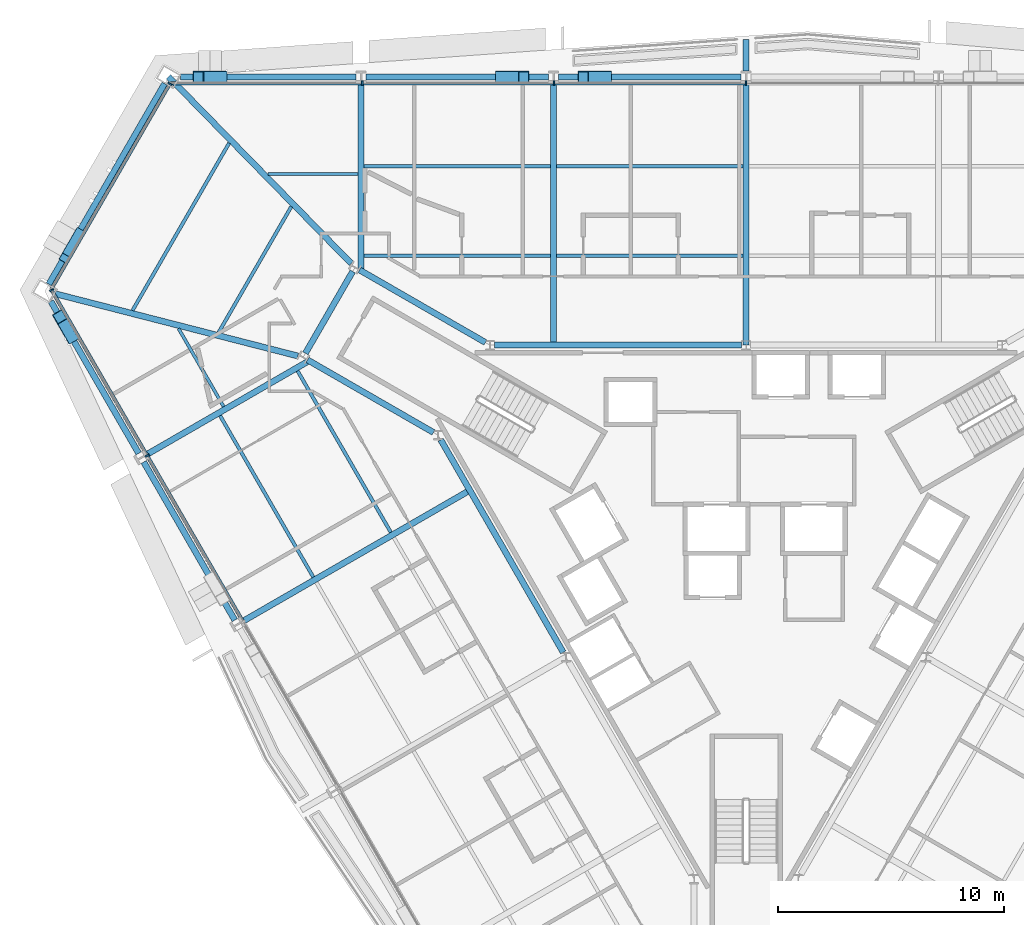
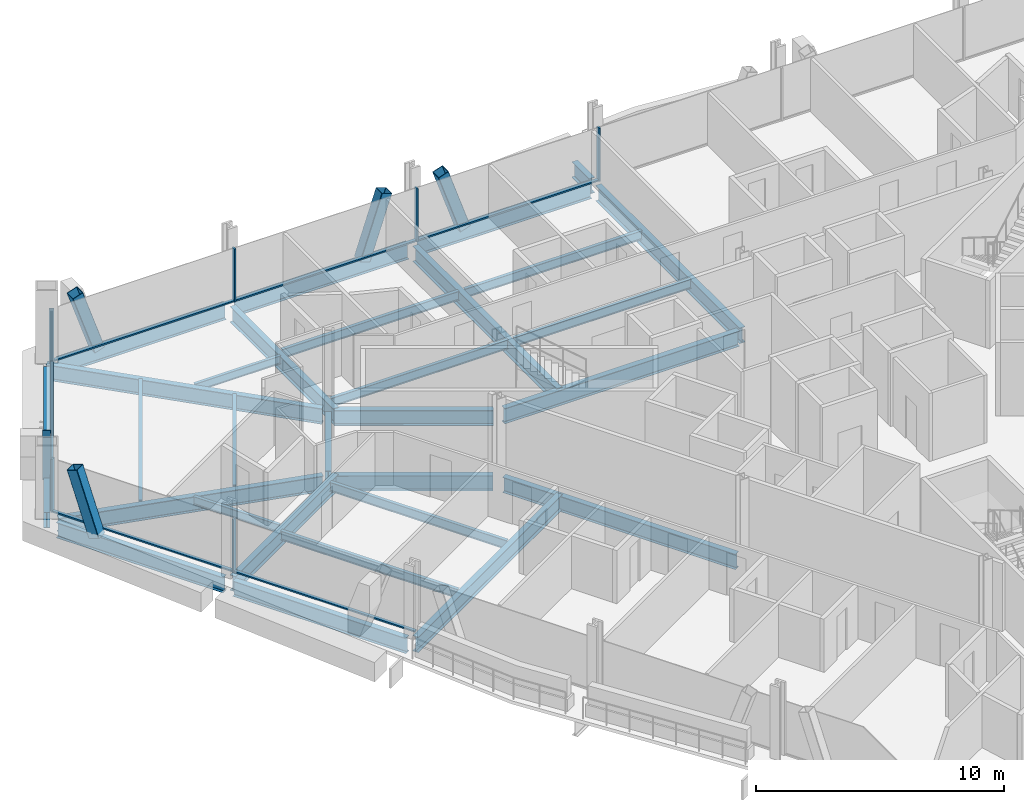
# One storey, part 6 of 18: 29 beams, 17 members, 3 elements without a shape of their own.
"""IFC4 building model written with IfcOpenShell, lengths in metres."""

from ifc_helpers import new_model, si_unit, direction, frame, origin, origin_2d, place, context, subcontext, project, spatial, rectangle, hollow_rectangle, i_section, extrude, material, material_profile, profile_set, type_object, element, aggregate, save


model = new_model("IFC4")

# Units and contexts
model_context = context("Model", 3, precision=1e-05, world=origin(), true_north=direction((0.0, 1.0)))
body_context = subcontext(model_context, "Body", "Model", "MODEL_VIEW")
ifc_project = project(units=[si_unit("LENGTHUNIT", "METRE"), si_unit("AREAUNIT", "SQUARE_METRE"), si_unit("VOLUMEUNIT", "CUBIC_METRE"), si_unit("PLANEANGLEUNIT", "RADIAN"), si_unit("MASSUNIT", "GRAM", prefix="KILO")], contexts=[model_context])

# Site, building, storey
site_placement = place(None, origin())
site = spatial("IfcSite", under=ifc_project, at=site_placement, CompositionType="ELEMENT")
building_placement = place(site_placement, origin())
building = spatial("IfcBuilding", under=site, at=building_placement, Name="Verrane Prism Tower", CompositionType="ELEMENT")
storey_placement = place(building_placement, frame((0.0, 0.0, 54.800048828125)))
storey = spatial("IfcBuildingStorey", under=building, at=storey_placement, Name="L11", CompositionType="ELEMENT", Elevation=54.800048828125)

# Member
ifc_material_1 = material(Name="Steel A500 Grade C", Category="steel")
ifc_material_profile_1 = material_profile(ifc_material_1, hollow_rectangle(XDim=0.355712890625, YDim=0.355712890625, WallThickness=0.0126953125, InnerFilletRadius=0.00634765625, OuterFilletRadius=0.01904296875, at=origin_2d()), Name="HSS14x14x1/2")
ifc_profile_set_1 = profile_set([ifc_material_profile_1], Name="Steel A500 Grade C")
member_type_1 = type_object("IfcMemberType", Name="Chamfer brace HSS14x14x1/2", PredefinedType="BRACE", material=ifc_profile_set_1)
member_1_placement = place(storey_placement, frame((-29.52197265625, 14.186279296875, -0.2451171875), z_axis=(-0.199091567031, -0.34501748339, 0.917237964812), x_axis=(0.866138836121, -0.499803477943, 0.0)))
element("IfcMember", 1, at=member_1_placement, inside=storey, type_object=member_type_1, Name="Chamfer brace NW0 L11", PredefinedType="BRACE", context=body_context, shape_type="SweptSolid", body=[
    extrude(hollow_rectangle(XDim=0.355712890625, YDim=0.355712890625, WallThickness=0.0126953125, InnerFilletRadius=0.00634765625, OuterFilletRadius=0.01904296875, at=origin_2d()), origin(), (0.0, 0.0, 1.0), 3.274169921875),
])

# Beams
ifc_material_2 = material(Name="Steel A992", Category="steel")
ifc_material_profile_2 = material_profile(ifc_material_2, i_section(OverallWidth=0.2666015625, OverallDepth=0.76708984375, WebThickness=0.014892578125, FlangeThickness=0.023681640625, FilletRadius=0.0166015625, at=origin_2d()), Name="W30x124")
ifc_profile_set_2 = profile_set([ifc_material_profile_2], Name="Steel A992")
beam_type_1 = type_object("IfcBeamType", Name="Chamfer spandrel beam W30x124", PredefinedType="SPANDREL", material=ifc_profile_set_2)
beam_1_placement = place(storey_placement, frame((-25.724853515625, 20.766845703125, -0.54345703125), z_axis=(-0.499796720239, -0.866142735603, 0.0), x_axis=(0.866142735603, -0.499796720239, 0.0)))
element("IfcBeam", 2, at=beam_1_placement, inside=storey, type_object=beam_type_1, Name="Chamfer spandrel beam L11", PredefinedType="SPANDREL", context=body_context, shape_type="SweptSolid", body=[
    extrude(i_section(OverallWidth=0.2666015625, OverallDepth=0.76708984375, WebThickness=0.014892578125, FlangeThickness=0.023681640625, FilletRadius=0.0166015625, at=origin_2d()), origin(), (0.0, 0.0, 1.0), 10.244873046875),
])
ifc_material_3 = material(Name="Steel A992", Category="steel")
ifc_material_profile_3 = material_profile(ifc_material_3, i_section(OverallWidth=0.2666015625, OverallDepth=0.7568359375, WebThickness=0.013916015625, FlangeThickness=0.019287109375, FilletRadius=0.0166015625, at=origin_2d()), Name="W30x108")
ifc_profile_set_3 = profile_set([ifc_material_profile_3], Name="Steel A992")
beam_type_2 = type_object("IfcBeamType", Name="Core ring girder W30x108", PredefinedType="BEAM", material=ifc_profile_set_3)
beam_2_placement = place(storey_placement, frame((-0.203125, 9.199951171875, -0.628662109375), z_axis=(-1.0, 0.0, 0.0), x_axis=(0.0, -1.0, 0.0)))
element("IfcBeam", 3, at=beam_2_placement, inside=storey, type_object=beam_type_2, Name="Core ring girder L11", PredefinedType="BEAM", context=body_context, shape_type="SweptSolid", body=[
    extrude(i_section(OverallWidth=0.2666015625, OverallDepth=0.7568359375, WebThickness=0.013916015625, FlangeThickness=0.019287109375, FilletRadius=0.0166015625, at=origin_2d()), origin(), (0.0, 0.0, 1.0), 10.923583984375),
])
beam_3_placement = place(storey_placement, frame((-11.533203125, 9.317138671875, -0.628662109375), z_axis=(-0.866447229751, 0.499268663203, 0.0), x_axis=(-0.499268663203, -0.866447229751, 0.0)))
element("IfcBeam", 4, at=beam_3_placement, inside=storey, type_object=beam_type_2, Name="Core ring girder L11", PredefinedType="BEAM", context=body_context, shape_type="SweptSolid", body=[
    extrude(i_section(OverallWidth=0.2666015625, OverallDepth=0.7568359375, WebThickness=0.013916015625, FlangeThickness=0.019287109375, FilletRadius=0.0166015625, at=origin_2d()), origin(), (0.0, 0.0, 1.0), 6.428466796875),
])
beam_4_placement = place(storey_placement, frame((-17.40478515625, 12.45849609375, -0.628662109375), z_axis=(-0.500349643494, -0.865823442888, 0.0), x_axis=(0.865823442888, -0.500349643494, 0.0)))
element("IfcBeam", 5, at=beam_4_placement, inside=storey, type_object=beam_type_2, Name="Core ring girder L11", PredefinedType="BEAM", context=body_context, shape_type="SweptSolid", body=[
    extrude(i_section(OverallWidth=0.2666015625, OverallDepth=0.7568359375, WebThickness=0.013916015625, FlangeThickness=0.019287109375, FilletRadius=0.0166015625, at=origin_2d()), origin(), (0.0, 0.0, 1.0), 4.177734375),
])
beam_5_placement = place(storey_placement, frame((-19.403076171875, 8.54638671875, -0.628662109375), z_axis=(0.86646365882, -0.499240150574, 0.0), x_axis=(0.499240150574, 0.86646365882, 0.0)))
element("IfcBeam", 6, at=beam_5_placement, inside=storey, type_object=beam_type_2, Name="Core ring girder L11", PredefinedType="BEAM", context=body_context, shape_type="SweptSolid", body=[
    extrude(i_section(OverallWidth=0.2666015625, OverallDepth=0.7568359375, WebThickness=0.013916015625, FlangeThickness=0.019287109375, FilletRadius=0.0166015625, at=origin_2d()), origin(), (0.0, 0.0, 1.0), 6.42822265625),
])
beam_6_placement = place(storey_placement, frame((-13.510009765625, 5.01171875, -0.628662109375), z_axis=(0.499371892062, -0.866387738498, 0.0), x_axis=(0.866387738498, 0.499371892062, 0.0)))
element("IfcBeam", 7, at=beam_6_placement, inside=storey, type_object=beam_type_2, Name="Core ring girder L11", PredefinedType="BEAM", context=body_context, shape_type="SweptSolid", body=[
    extrude(i_section(OverallWidth=0.2666015625, OverallDepth=0.7568359375, WebThickness=0.013916015625, FlangeThickness=0.019287109375, FilletRadius=0.0166015625, at=origin_2d()), origin(), (0.0, 0.0, 1.0), 10.853515625),
])
ifc_material_4 = material(Name="Steel A992", Category="steel")
ifc_material_profile_4 = material_profile(ifc_material_4, i_section(OverallWidth=0.2666015625, OverallDepth=0.76708984375, WebThickness=0.014892578125, FlangeThickness=0.023681640625, FilletRadius=0.0166015625, at=origin_2d()), Name="W30x124")
ifc_profile_set_4 = profile_set([ifc_material_profile_4], Name="Steel A992")
beam_type_3 = type_object("IfcBeamType", Name="Corner girder W30x124", PredefinedType="BEAM", material=ifc_profile_set_4)
beam_7_placement = place(storey_placement, frame((-25.548828125, 21.06884765625, -0.603515625), z_axis=(0.699429302474, -0.714701791547, 0.0), x_axis=(0.714701791547, 0.699429302474, 0.0)))
element("IfcBeam", 8, at=beam_7_placement, inside=storey, type_object=beam_type_3, Name="Corner girder L11", PredefinedType="BEAM", context=body_context, shape_type="SweptSolid", body=[
    extrude(i_section(OverallWidth=0.2666015625, OverallDepth=0.76708984375, WebThickness=0.014892578125, FlangeThickness=0.023681640625, FilletRadius=0.0166015625, at=origin_2d()), origin(), (0.0, 0.0, 1.0), 11.5576171875),
])
beam_8_placement = place(storey_placement, frame((-30.5673828125, 11.473876953125, -0.603515625), z_axis=(0.968629214838, -0.248510450813, 0.0), x_axis=(0.248510450813, 0.968629214838, 0.0)))
element("IfcBeam", 9, at=beam_8_placement, inside=storey, type_object=beam_type_3, Name="Corner girder L11", PredefinedType="BEAM", context=body_context, shape_type="SweptSolid", body=[
    extrude(i_section(OverallWidth=0.2666015625, OverallDepth=0.76708984375, WebThickness=0.014892578125, FlangeThickness=0.023681640625, FilletRadius=0.0166015625, at=origin_2d()), origin(), (0.0, 0.0, 1.0), 11.086669921875),
])

# Members
ifc_material_5 = material(Name="Steel A1085 Grade A", Category="steel")
ifc_material_profile_5 = material_profile(ifc_material_5, hollow_rectangle(XDim=0.508056640625, YDim=0.508056640625, WallThickness=0.025390625, InnerFilletRadius=0.0126953125, OuterFilletRadius=0.0380859375, at=origin_2d()), Name="HSS20x20x1")
ifc_profile_set_5 = profile_set([ifc_material_profile_5], Name="Steel A1085 Grade A")
member_type_2 = type_object("IfcMemberType", Name="Facade brace HSS20x20x1", PredefinedType="BRACE", material=ifc_profile_set_5)
member_2_placement = place(storey_placement, frame((-6.185791015625, 21.070068359375, -0.24267578125), z_axis=(-0.320284161524, 0.0, 0.947321516634), x_axis=(0.0, -1.0, 0.0)))
element("IfcMember", 10, at=member_2_placement, inside=storey, type_object=member_type_2, Name="Facade brace N3 L11", PredefinedType="BRACE", context=body_context, shape_type="SweptSolid", body=[
    extrude(hollow_rectangle(XDim=0.508056640625, YDim=0.508056640625, WallThickness=0.025390625, InnerFilletRadius=0.0126953125, OuterFilletRadius=0.0380859375, at=origin_2d()), origin(), (0.0, 0.0, 1.0), 3.175537109375),
])
member_3_placement = place(storey_placement, frame((-10.8515625, 21.070068359375, -0.24267578125), z_axis=(0.319939128086, 0.0, 0.947438100522), x_axis=(0.0, 1.0, 0.0)))
element("IfcMember", 11, at=member_3_placement, inside=storey, type_object=member_type_2, Name="Facade brace N4 L11", PredefinedType="BRACE", context=body_context, shape_type="SweptSolid", body=[
    extrude(hollow_rectangle(XDim=0.508056640625, YDim=0.508056640625, WallThickness=0.025390625, InnerFilletRadius=0.0126953125, OuterFilletRadius=0.0380859375, at=origin_2d()), origin(), (0.0, 0.0, 1.0), 3.17529296875),
])
member_4_placement = place(storey_placement, frame((-23.2158203125, 21.070068359375, -0.24267578125), z_axis=(-0.320284161524, 0.0, 0.947321516634), x_axis=(0.0, -1.0, 0.0)))
element("IfcMember", 12, at=member_4_placement, inside=storey, type_object=member_type_2, Name="Facade brace N5 L11", PredefinedType="BRACE", context=body_context, shape_type="SweptSolid", body=[
    extrude(hollow_rectangle(XDim=0.508056640625, YDim=0.508056640625, WallThickness=0.025390625, InnerFilletRadius=0.0126953125, OuterFilletRadius=0.0380859375, at=origin_2d()), origin(), (0.0, 0.0, 1.0), 3.175537109375),
])
member_5_placement = place(storey_placement, frame((-29.852783203125, 9.57080078125, -0.24267578125), z_axis=(-0.160155263399, 0.277100129279, 0.947399498606), x_axis=(-0.865793377433, -0.500401666258, 0.0)))
element("IfcMember", 13, at=member_5_placement, inside=storey, type_object=member_type_2, Name="Facade brace SW0 L11", PredefinedType="BRACE", context=body_context, shape_type="SweptSolid", body=[
    extrude(hollow_rectangle(XDim=0.508056640625, YDim=0.508056640625, WallThickness=0.025390625, InnerFilletRadius=0.0126953125, OuterFilletRadius=0.0380859375, at=origin_2d()), origin(), (0.0, 0.0, 1.0), 3.17529296875),
])

# Beams
ifc_material_6 = material(Name="Steel A992", Category="steel")
ifc_material_profile_6 = material_profile(ifc_material_6, i_section(OverallWidth=0.140380859375, OverallDepth=0.40380859375, WebThickness=0.007080078125, FlangeThickness=0.01123046875, FilletRadius=0.01025390625, at=origin_2d()), Name="W16x31")
ifc_profile_set_6 = profile_set([ifc_material_profile_6], Name="Steel A992")
beam_type_4 = type_object("IfcBeamType", Name="Floor beam W16x31", PredefinedType="BEAM", material=ifc_profile_set_6)
beam_9_placement = place(storey_placement, frame((-21.159912109375, 16.77490234375, -0.362060546875), z_axis=(1.0, 0.0, 0.0), x_axis=(0.0, 1.0, 0.0)))
element("IfcBeam", 14, at=beam_9_placement, inside=storey, type_object=beam_type_4, Name="Floor beam L11", PredefinedType="BEAM", context=body_context, shape_type="SweptSolid", body=[
    extrude(i_section(OverallWidth=0.140380859375, OverallDepth=0.40380859375, WebThickness=0.007080078125, FlangeThickness=0.01123046875, FilletRadius=0.01025390625, at=origin_2d()), origin(), (0.0, 0.0, 1.0), 3.996337890625),
])
beam_10_placement = place(storey_placement, frame((-23.113525390625, 6.4794921875, -0.362060546875), z_axis=(-0.500001357645, 0.866024619946, 0.0), x_axis=(-0.866024619946, -0.500001357645, 0.0)))
element("IfcBeam", 15, at=beam_10_placement, inside=storey, type_object=beam_type_4, Name="Floor beam L11", PredefinedType="BEAM", context=body_context, shape_type="SweptSolid", body=[
    extrude(i_section(OverallWidth=0.140380859375, OverallDepth=0.40380859375, WebThickness=0.007080078125, FlangeThickness=0.01123046875, FilletRadius=0.01025390625, at=origin_2d()), origin(), (0.0, 0.0, 1.0), 3.99072265625),
])
ifc_material_7 = material(Name="Steel A992", Category="steel")
ifc_material_profile_7 = material_profile(ifc_material_7, i_section(OverallWidth=0.15234375, OverallDepth=0.449462890625, WebThickness=0.007568359375, FlangeThickness=0.0107421875, FilletRadius=0.01025390625, at=origin_2d()), Name="W18x35")
ifc_profile_set_7 = profile_set([ifc_material_profile_7], Name="Steel A992")
beam_type_5 = type_object("IfcBeamType", Name="Floor beam W18x35", PredefinedType="BEAM", material=ifc_profile_set_7)
for number, where, z_axis, x_axis, name in (
    (16, (-8.386474609375, 13.15673828125, -0.384765625), (1.0, 0.0, 0.0), (0.0, 1.0, 0.0), "Floor beam L11"),
    (17, (-8.386474609375, 17.11328125, -0.384765625), (1.0, 0.0, 0.0), (0.0, 1.0, 0.0), "Floor beam L11"),
):
    element("IfcBeam", number, at=place(storey_placement, frame(where, z_axis=z_axis, x_axis=x_axis)), inside=storey, type_object=beam_type_5, Name=name, PredefinedType="BEAM", context=body_context, shape_type="SweptSolid", body=[
        extrude(i_section(OverallWidth=0.15234375, OverallDepth=0.449462890625, WebThickness=0.007568359375, FlangeThickness=0.0107421875, FilletRadius=0.01025390625, at=origin_2d()), origin(), (0.0, 0.0, 1.0), 8.2529296875),
    ])
for number, where, z_axis, x_axis, name in (
    (18, (-16.896484375, 13.15673828125, -0.384765625), (1.0, 0.0, 0.0), (0.0, 1.0, 0.0), "Floor beam L11"),
    (19, (-16.896484375, 17.11328125, -0.384765625), (1.0, 0.0, 0.0), (0.0, 1.0, 0.0), "Floor beam L11"),
):
    element("IfcBeam", number, at=place(storey_placement, frame(where, z_axis=z_axis, x_axis=x_axis)), inside=storey, type_object=beam_type_5, Name=name, PredefinedType="BEAM", context=body_context, shape_type="SweptSolid", body=[
        extrude(i_section(OverallWidth=0.15234375, OverallDepth=0.449462890625, WebThickness=0.007568359375, FlangeThickness=0.0107421875, FilletRadius=0.01025390625, at=origin_2d()), origin(), (0.0, 0.0, 1.0), 8.242919921875),
    ])
beam_11_placement = place(storey_placement, frame((-15.716796875, 0.91552734375, -0.384765625), z_axis=(-0.499996545922, 0.866027397988, 0.0), x_axis=(-0.866027397988, -0.499996545922, 0.0)))
element("IfcBeam", 20, at=beam_11_placement, inside=storey, type_object=beam_type_5, Name="Floor beam L11", PredefinedType="BEAM", context=body_context, shape_type="SweptSolid", body=[
    extrude(i_section(OverallWidth=0.15234375, OverallDepth=0.449462890625, WebThickness=0.007568359375, FlangeThickness=0.0107421875, FilletRadius=0.01025390625, at=origin_2d()), origin(), (0.0, 0.0, 1.0), 8.25),
])
beam_12_placement = place(storey_placement, frame((-19.146728515625, -1.064453125, -0.384765625), z_axis=(-0.499987164874, 0.866032814021, 0.0), x_axis=(-0.866032814021, -0.499987164874, 0.0)))
element("IfcBeam", 21, at=beam_12_placement, inside=storey, type_object=beam_type_5, Name="Floor beam L11", PredefinedType="BEAM", context=body_context, shape_type="SweptSolid", body=[
    extrude(i_section(OverallWidth=0.15234375, OverallDepth=0.449462890625, WebThickness=0.007568359375, FlangeThickness=0.0107421875, FilletRadius=0.01025390625, at=origin_2d()), origin(), (0.0, 0.0, 1.0), 8.249755859375),
])
beam_13_placement = place(storey_placement, frame((-23.337158203125, 9.756591796875, -0.384765625), z_axis=(0.49999063097, 0.866030812929, 0.0), x_axis=(-0.866030812929, 0.49999063097, 0.0)))
element("IfcBeam", 22, at=beam_13_placement, inside=storey, type_object=beam_type_5, Name="Floor beam L11", PredefinedType="BEAM", context=body_context, shape_type="SweptSolid", body=[
    extrude(i_section(OverallWidth=0.15234375, OverallDepth=0.449462890625, WebThickness=0.007568359375, FlangeThickness=0.0107421875, FilletRadius=0.01025390625, at=origin_2d()), origin(), (0.0, 0.0, 1.0), 6.435546875),
])
beam_14_placement = place(storey_placement, frame((-27.145263671875, 10.733642578125, -0.384765625), z_axis=(0.499989342298, 0.866031556924, 0.0), x_axis=(-0.866031556924, 0.499989342298, 0.0)))
element("IfcBeam", 23, at=beam_14_placement, inside=storey, type_object=beam_type_5, Name="Floor beam L11", PredefinedType="BEAM", context=body_context, shape_type="SweptSolid", body=[
    extrude(i_section(OverallWidth=0.15234375, OverallDepth=0.449462890625, WebThickness=0.007568359375, FlangeThickness=0.0107421875, FilletRadius=0.01025390625, at=origin_2d()), origin(), (0.0, 0.0, 1.0), 8.552001953125),
])

# Curtain wall, members
ifc_material_8 = material(Name="Aluminium framed insulated glazing", Category="aluminium")
curtain_wall_type = type_object("IfcCurtainWallType", Name="Curtain wall CW-A 8400 module", PredefinedType="NOTDEFINED", material=ifc_material_8)
curtain_wall_1_placement = place(storey_placement, origin())
curtain_wall_1 = element("IfcCurtainWall", 24, at=curtain_wall_1_placement, inside=storey, type_object=curtain_wall_type, Name="Glazed curtain wall north face L11", PredefinedType="NOTDEFINED")
ifc_material_9 = material(Name="Aluminium alloy 6063-T6", Category="aluminium")
ifc_material_profile_8 = material_profile(ifc_material_9, rectangle(XDim=0.199951171875, YDim=0.070068359375, at=origin_2d()), Name="Mullion 70x200 aluminium")
ifc_profile_set_8 = profile_set([ifc_material_profile_8], Name="Aluminium alloy 6063-T6")
member_type_3 = type_object("IfcMemberType", Name="Mullion 70x200 aluminium", PredefinedType="MULLION", material=ifc_profile_set_8)
member_6_placement = place(storey_placement, frame((0.0, 20.791015625, 0.0), z_axis=(0.0, 0.0, 1.0), x_axis=(0.0, -1.0, 0.0)))
member_6 = element("IfcMember", 25, at=member_6_placement, type_object=member_type_3, Name="CW09.2 mullion 4", PredefinedType="MULLION", context=body_context, shape_type="SweptSolid", body=[
    extrude(rectangle(XDim=0.199951171875, YDim=0.070068359375, at=origin_2d()), origin(), (0.0, 0.0, 1.0), 2.61279296875),
])
member_7_placement = place(storey_placement, frame((-8.49169921875, 20.791015625, 0.0), z_axis=(0.0, 0.0, 1.0), x_axis=(0.0, -1.0, 0.0)))
member_7 = element("IfcMember", 26, at=member_7_placement, type_object=member_type_3, Name="CW09.2 mullion 5", PredefinedType="MULLION", context=body_context, shape_type="SweptSolid", body=[
    extrude(rectangle(XDim=0.199951171875, YDim=0.070068359375, at=origin_2d()), origin(), (0.0, 0.0, 1.0), 2.61279296875),
])
member_8_placement = place(storey_placement, frame((-16.9833984375, 20.791015625, 0.0), z_axis=(0.0, 0.0, 1.0), x_axis=(0.0, -1.0, 0.0)))
member_8 = element("IfcMember", 27, at=member_8_placement, type_object=member_type_3, Name="CW09.2 mullion 6", PredefinedType="MULLION", context=body_context, shape_type="SweptSolid", body=[
    extrude(rectangle(XDim=0.199951171875, YDim=0.070068359375, at=origin_2d()), origin(), (0.0, 0.0, 1.0), 2.61279296875),
])

# Curtain wall, member
curtain_wall_2_placement = place(storey_placement, origin())
curtain_wall_2 = element("IfcCurtainWall", 28, at=curtain_wall_2_placement, inside=storey, type_object=curtain_wall_type, Name="Glazed curtain wall north-west corner L11", PredefinedType="NOTDEFINED")
member_9_placement = place(storey_placement, frame((-25.49267578125, 20.7607421875, 0.0), z_axis=(0.0, 0.0, 1.0), x_axis=(0.866026104978, -0.499998785495, 0.0)))
member_9 = element("IfcMember", 29, at=member_9_placement, type_object=member_type_3, Name="CW09.3 mullion 1", PredefinedType="MULLION", context=body_context, shape_type="SweptSolid", body=[
    extrude(rectangle(XDim=0.199951171875, YDim=0.070068359375, at=origin_2d()), origin(), (0.0, 0.0, 1.0), 2.61279296875),
])

# Curtain wall, members
curtain_wall_3_placement = place(storey_placement, origin())
curtain_wall_3 = element("IfcCurtainWall", 30, at=curtain_wall_3_placement, inside=storey, type_object=curtain_wall_type, Name="Glazed curtain wall south-west face L11", PredefinedType="NOTDEFINED")
member_10_placement = place(storey_placement, frame((-30.7255859375, 11.636474609375, 0.0), z_axis=(0.0, 0.0, 1.0), x_axis=(0.866025694591, 0.499999496308, 0.0)))
member_10 = element("IfcMember", 31, at=member_10_placement, type_object=member_type_3, Name="CW09.4 mullion 1", PredefinedType="MULLION", context=body_context, shape_type="SweptSolid", body=[
    extrude(rectangle(XDim=0.199951171875, YDim=0.070068359375, at=origin_2d()), origin(), (0.0, 0.0, 1.0), 2.61279296875),
])
member_11_placement = place(storey_placement, frame((-26.497314453125, 4.312744140625, 0.0), z_axis=(0.0, 0.0, 1.0), x_axis=(0.866025694591, 0.499999496308, 0.0)))
member_11 = element("IfcMember", 32, at=member_11_placement, type_object=member_type_3, Name="CW09.4 mullion 2", PredefinedType="MULLION", context=body_context, shape_type="SweptSolid", body=[
    extrude(rectangle(XDim=0.199951171875, YDim=0.070068359375, at=origin_2d()), origin(), (0.0, 0.0, 1.0), 2.61279296875),
])

# Beams
ifc_material_10 = material(Name="Steel A992", Category="steel")
ifc_material_profile_9 = material_profile(ifc_material_10, i_section(OverallWidth=0.2666015625, OverallDepth=0.76708984375, WebThickness=0.014892578125, FlangeThickness=0.023681640625, FilletRadius=0.0166015625, at=origin_2d()), Name="W30x124")
ifc_profile_set_9 = profile_set([ifc_material_profile_9], Name="Steel A992")
beam_type_6 = type_object("IfcBeamType", Name="Radial girder W30x124", PredefinedType="BEAM", material=ifc_profile_set_9)
for number, where, z_axis, x_axis, name in (
    (33, (0.0, 20.8046875, -0.603515625), (0.0, -1.0, 0.0), (1.0, 0.0, 0.0), "Radial girder L11"),
    (34, (-8.52001953125, 20.8046875, -0.603515625), (0.0, -1.0, 0.0), (1.0, 0.0, 0.0), "Radial girder L11"),
):
    element("IfcBeam", number, at=place(storey_placement, frame(where, z_axis=z_axis, x_axis=x_axis)), inside=storey, type_object=beam_type_6, Name=name, PredefinedType="BEAM", context=body_context, shape_type="SweptSolid", body=[
        extrude(i_section(OverallWidth=0.2666015625, OverallDepth=0.76708984375, WebThickness=0.014892578125, FlangeThickness=0.023681640625, FilletRadius=0.0166015625, at=origin_2d()), origin(), (0.0, 0.0, 1.0), 11.604736328125),
    ])
beam_15_placement = place(storey_placement, frame((-17.030029296875, 20.8046875, -0.603515625), z_axis=(0.0, -1.0, 0.0), x_axis=(1.0, 0.0, 0.0)))
element("IfcBeam", 35, at=beam_15_placement, inside=storey, type_object=beam_type_6, Name="Radial girder L11", PredefinedType="BEAM", context=body_context, shape_type="SweptSolid", body=[
    extrude(i_section(OverallWidth=0.2666015625, OverallDepth=0.76708984375, WebThickness=0.014892578125, FlangeThickness=0.023681640625, FilletRadius=0.0166015625, at=origin_2d()), origin(), (0.0, 0.0, 1.0), 8.3203125),
])
beam_16_placement = place(storey_placement, frame((-26.530029296875, 4.352783203125, -0.603515625), z_axis=(0.866021168401, 0.500007335828, 0.0), x_axis=(-0.500007335828, 0.866021168401, 0.0)))
element("IfcBeam", 36, at=beam_16_placement, inside=storey, type_object=beam_type_6, Name="Radial girder L11", PredefinedType="BEAM", context=body_context, shape_type="SweptSolid", body=[
    extrude(i_section(OverallWidth=0.2666015625, OverallDepth=0.76708984375, WebThickness=0.014892578125, FlangeThickness=0.023681640625, FilletRadius=0.0166015625, at=origin_2d()), origin(), (0.0, 0.0, 1.0), 8.30859375),
])
beam_17_placement = place(storey_placement, frame((-22.280029296875, -3.02734375, -0.603515625), z_axis=(0.866023488761, 0.500003316903, 0.0), x_axis=(-0.500003316903, 0.866023488761, 0.0)))
element("IfcBeam", 37, at=beam_17_placement, inside=storey, type_object=beam_type_6, Name="Radial girder L11", PredefinedType="BEAM", context=body_context, shape_type="SweptSolid", body=[
    extrude(i_section(OverallWidth=0.2666015625, OverallDepth=0.76708984375, WebThickness=0.014892578125, FlangeThickness=0.023681640625, FilletRadius=0.0166015625, at=origin_2d()), origin(), (0.0, 0.0, 1.0), 11.61279296875),
])
beam_18_placement = place(storey_placement, frame((0.0, 21.331298828125, -0.603515625), z_axis=(0.0, 1.0, 0.0), x_axis=(-1.0, 0.0, 0.0)))
element("IfcBeam", 38, at=beam_18_placement, inside=storey, type_object=beam_type_6, Name="Cantilever girder L11", PredefinedType="BEAM", context=body_context, shape_type="SweptSolid", body=[
    extrude(i_section(OverallWidth=0.2666015625, OverallDepth=0.76708984375, WebThickness=0.014892578125, FlangeThickness=0.023681640625, FilletRadius=0.0166015625, at=origin_2d()), origin(), (0.0, 0.0, 1.0), 1.392578125),
])
ifc_material_11 = material(Name="Steel A992", Category="steel")
ifc_material_profile_10 = material_profile(ifc_material_11, i_section(OverallWidth=0.2666015625, OverallDepth=0.7568359375, WebThickness=0.013916015625, FlangeThickness=0.019287109375, FilletRadius=0.0166015625, at=origin_2d()), Name="W30x108")
ifc_profile_set_10 = profile_set([ifc_material_profile_10], Name="Steel A992")
beam_type_7 = type_object("IfcBeamType", Name="Spandrel beam W30x108", PredefinedType="SPANDREL", material=ifc_profile_set_10)
beam_19_placement = place(storey_placement, frame((-0.220947265625, 21.070068359375, -0.53857421875), z_axis=(-1.0, 0.0, 0.0), x_axis=(0.0, -1.0, 0.0)))
element("IfcBeam", 39, at=beam_19_placement, inside=storey, type_object=beam_type_7, Name="Spandrel beam L11", PredefinedType="SPANDREL", context=body_context, shape_type="SweptSolid", body=[
    extrude(i_section(OverallWidth=0.2666015625, OverallDepth=0.7568359375, WebThickness=0.013916015625, FlangeThickness=0.019287109375, FilletRadius=0.0166015625, at=origin_2d()), origin(), (0.0, 0.0, 1.0), 8.078125),
])
beam_20_placement = place(storey_placement, frame((-8.740966796875, 21.070068359375, -0.53857421875), z_axis=(-1.0, 0.0, 0.0), x_axis=(0.0, -1.0, 0.0)))
element("IfcBeam", 40, at=beam_20_placement, inside=storey, type_object=beam_type_7, Name="Spandrel beam L11", PredefinedType="SPANDREL", context=body_context, shape_type="SweptSolid", body=[
    extrude(i_section(OverallWidth=0.2666015625, OverallDepth=0.7568359375, WebThickness=0.013916015625, FlangeThickness=0.019287109375, FilletRadius=0.0166015625, at=origin_2d()), origin(), (0.0, 0.0, 1.0), 8.068115234375),
])
beam_21_placement = place(storey_placement, frame((-17.2509765625, 21.070068359375, -0.53857421875), z_axis=(-1.0, 0.0, 0.0), x_axis=(0.0, -1.0, 0.0)))
element("IfcBeam", 41, at=beam_21_placement, inside=storey, type_object=beam_type_7, Name="Spandrel beam L11", PredefinedType="SPANDREL", context=body_context, shape_type="SweptSolid", body=[
    extrude(i_section(OverallWidth=0.2666015625, OverallDepth=0.7568359375, WebThickness=0.013916015625, FlangeThickness=0.019287109375, FilletRadius=0.0166015625, at=origin_2d()), origin(), (0.0, 0.0, 1.0), 7.779541015625),
])
beam_22_placement = place(storey_placement, frame((-30.760009765625, 11.140380859375, -0.53857421875), z_axis=(0.500425695968, -0.865779488562, 0.0), x_axis=(0.865779488562, 0.500425695968, 0.0)))
element("IfcBeam", 42, at=beam_22_placement, inside=storey, type_object=beam_type_7, Name="Spandrel beam L11", PredefinedType="SPANDREL", context=body_context, shape_type="SweptSolid", body=[
    extrude(i_section(OverallWidth=0.2666015625, OverallDepth=0.7568359375, WebThickness=0.013916015625, FlangeThickness=0.019287109375, FilletRadius=0.0166015625, at=origin_2d()), origin(), (0.0, 0.0, 1.0), 7.772216796875),
])
beam_23_placement = place(storey_placement, frame((-26.649658203125, 4.028564453125, -0.53857421875), z_axis=(0.499027753089, -0.866586003607, 0.0), x_axis=(0.866586003607, 0.499027753089, 0.0)))
element("IfcBeam", 43, at=beam_23_placement, inside=storey, type_object=beam_type_7, Name="Spandrel beam L11", PredefinedType="SPANDREL", context=body_context, shape_type="SweptSolid", body=[
    extrude(i_section(OverallWidth=0.2666015625, OverallDepth=0.7568359375, WebThickness=0.013916015625, FlangeThickness=0.019287109375, FilletRadius=0.0166015625, at=origin_2d()), origin(), (0.0, 0.0, 1.0), 8.07421875),
])

# Member
ifc_material_12 = material(Name="Aluminium alloy 6063-T6", Category="aluminium")
ifc_material_profile_11 = material_profile(ifc_material_12, rectangle(XDim=0.14990234375, YDim=0.070068359375, at=origin_2d()), Name="Transom 70x150 aluminium")
ifc_profile_set_11 = profile_set([ifc_material_profile_11], Name="Aluminium alloy 6063-T6")
member_type_4 = type_object("IfcMemberType", Name="Transom 70x150 aluminium", PredefinedType="USERDEFINED", material=ifc_profile_set_11)
member_12_placement = place(storey_placement, frame((-0.034912109375, 20.791015625, 0.034912109375), z_axis=(-1.0, 0.0, 0.0), x_axis=(0.0, -1.0, 0.0)))
member_12 = element("IfcMember", 44, at=member_12_placement, type_object=member_type_4, Name="CW09.2 transom 4", ObjectType="TRANSOM", PredefinedType="USERDEFINED", context=body_context, shape_type="SweptSolid", body=[
    extrude(rectangle(XDim=0.14990234375, YDim=0.070068359375, at=origin_2d()), origin(), (0.0, 0.0, 1.0), 8.421875),
])

member_13_placement = place(storey_placement, frame((-8.526611328125, 20.791015625, 0.034912109375), z_axis=(-1.0, 0.0, 0.0), x_axis=(0.0, -1.0, 0.0)))
member_13 = element("IfcMember", 45, at=member_13_placement, type_object=member_type_4, Name="CW09.2 transom 5", ObjectType="TRANSOM", PredefinedType="USERDEFINED", context=body_context, shape_type="SweptSolid", body=[
    extrude(rectangle(XDim=0.14990234375, YDim=0.070068359375, at=origin_2d()), origin(), (0.0, 0.0, 1.0), 8.421875),
])

member_14_placement = place(storey_placement, frame((-17.0185546875, 20.791015625, 0.034912109375), z_axis=(-1.0, 0.0, 0.0), x_axis=(0.0, -1.0, 0.0)))
member_14 = element("IfcMember", 46, at=member_14_placement, type_object=member_type_4, Name="CW09.2 transom 6", ObjectType="TRANSOM", PredefinedType="USERDEFINED", context=body_context, shape_type="SweptSolid", body=[
    extrude(rectangle(XDim=0.14990234375, YDim=0.070068359375, at=origin_2d()), origin(), (0.0, 0.0, 1.0), 8.45654296875),
])

aggregate(curtain_wall_1, [member_6, member_7, member_8, member_12, member_13, member_14])

member_15_placement = place(storey_placement, frame((-25.51025390625, 20.73046875, 0.034912109375), z_axis=(-0.499997747565, -0.866026704225, 0.0), x_axis=(0.866026704225, -0.499997747565, 0.0)))
member_15 = element("IfcMember", 47, at=member_15_placement, type_object=member_type_4, Name="CW09.3 transom 1", ObjectType="TRANSOM", PredefinedType="USERDEFINED", context=body_context, shape_type="SweptSolid", body=[
    extrude(rectangle(XDim=0.14990234375, YDim=0.070068359375, at=origin_2d()), origin(), (0.0, 0.0, 1.0), 10.4658203125),
])

aggregate(curtain_wall_2, [member_9, member_15])

member_16_placement = place(storey_placement, frame((-30.7080078125, 11.60595703125, 0.034912109375), z_axis=(0.500008882625, -0.866020275338, 0.0), x_axis=(0.866020275338, 0.500008882625, 0.0)))
member_16 = element("IfcMember", 48, at=member_16_placement, type_object=member_type_4, Name="CW09.4 transom 1", ObjectType="TRANSOM", PredefinedType="USERDEFINED", context=body_context, shape_type="SweptSolid", body=[
    extrude(rectangle(XDim=0.14990234375, YDim=0.070068359375, at=origin_2d()), origin(), (0.0, 0.0, 1.0), 8.386474609375),
])

member_17_placement = place(storey_placement, frame((-26.479736328125, 4.2822265625, 0.034912109375), z_axis=(0.500005175824, -0.866022415501, 0.0), x_axis=(0.866022415501, 0.500005175824, 0.0)))
member_17 = element("IfcMember", 49, at=member_17_placement, type_object=member_type_4, Name="CW09.4 transom 2", ObjectType="TRANSOM", PredefinedType="USERDEFINED", context=body_context, shape_type="SweptSolid", body=[
    extrude(rectangle(XDim=0.14990234375, YDim=0.070068359375, at=origin_2d()), origin(), (0.0, 0.0, 1.0), 8.421875),
])

aggregate(curtain_wall_3, [member_10, member_11, member_16, member_17])

save(model, "model.ifc")
